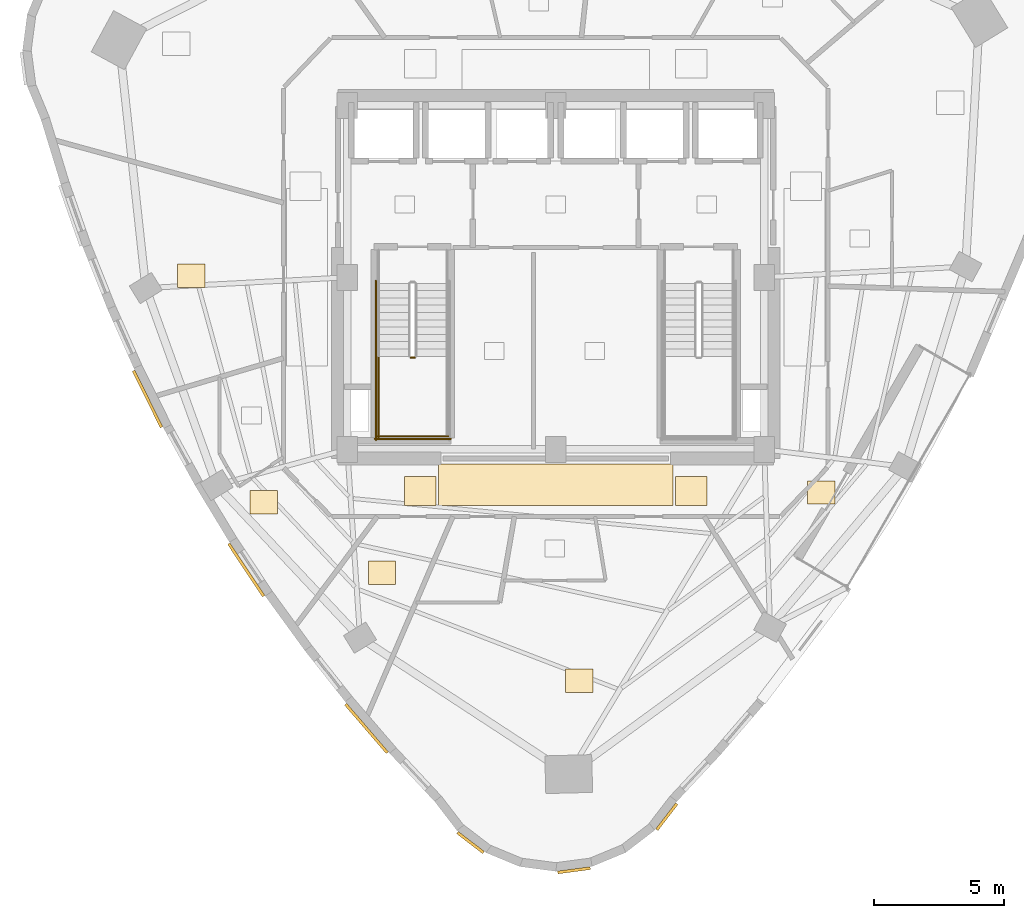
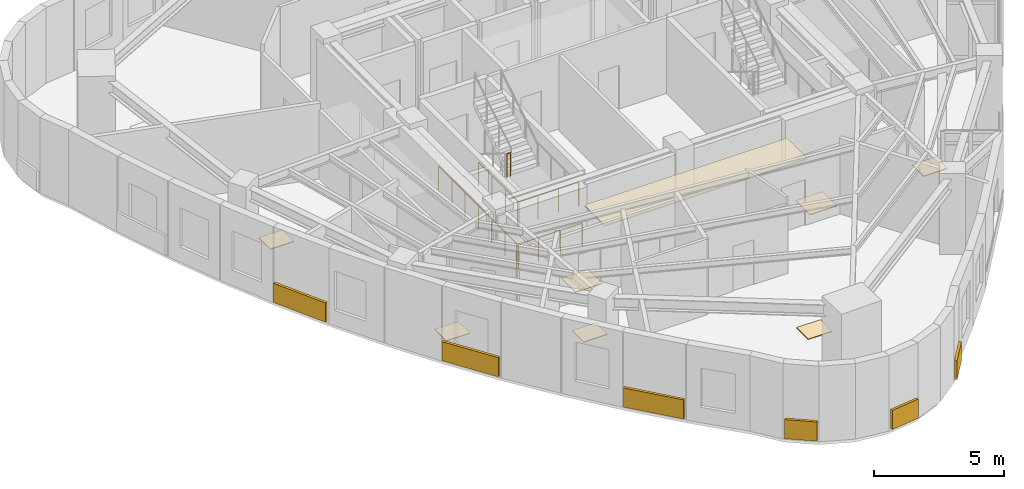
# One storey, part 10 of 12: 14 coverings, 5 railings.
"""IFC4 building model written with IfcOpenShell, lengths in metres."""

from ifc_helpers import new_model, si_unit, direction, frame, origin, origin_2d, place, context, subcontext, project, spatial, rectangle, circle, extrude, material, layer, layer_set, type_object, element, save


model = new_model("IFC4")

# Units and contexts
model_context = context("Model", 3, precision=1e-05, world=origin(), true_north=direction((0.0, 1.0)))
body_context = subcontext(model_context, "Body", "Model", "MODEL_VIEW")
ifc_project = project(units=[si_unit("LENGTHUNIT", "METRE"), si_unit("AREAUNIT", "SQUARE_METRE"), si_unit("VOLUMEUNIT", "CUBIC_METRE"), si_unit("PLANEANGLEUNIT", "RADIAN"), si_unit("MASSUNIT", "GRAM", prefix="KILO")], contexts=[model_context])

# Site, building, storey
site_placement = place(None, origin())
site = spatial("IfcSite", under=ifc_project, at=site_placement, CompositionType="ELEMENT")
building_placement = place(site_placement, origin())
building = spatial("IfcBuilding", under=site, at=building_placement, Name="Ndelora Gate Hotel", CompositionType="ELEMENT")
storey_placement = place(building_placement, frame((0.0, 0.0, 209.35009765625)))
storey = spatial("IfcBuildingStorey", under=building, at=storey_placement, Name="L52", CompositionType="ELEMENT", Elevation=209.35009765625)

# Coverings
ifc_material_1 = material(Name="Perforated Acoustic Gypsum Board", Category="gypsum")
ifc_layer_1 = layer(ifc_material_1, 0.054931640625)
ifc_layer_set_1 = layer_set([ifc_layer_1], Name="Perforated Acoustic Gypsum Board")
covering_type_1 = type_object("IfcCoveringType", Name="COV-CEIL-AC60", PredefinedType="CEILING", material=ifc_layer_set_1)
covering_1_placement = place(storey_placement, frame((0.0, -7.9599609375, 2.65234375), z_axis=(0.0, 0.0, 1.0), x_axis=(1.0, 0.0, 0.0)))
element("IfcCovering", 1, at=covering_1_placement, inside=storey, type_object=covering_type_1, Name="L52 Guest Corridor Acoustic Ceiling S", PredefinedType="CEILING", context=body_context, shape_type="SweptSolid", body=[
    extrude(rectangle(XDim=9.0, YDim=1.580078125, at=origin_2d()), origin(), (0.0, 0.0, 1.0), 0.054931640625),
])
ifc_material_2 = material(Name="Terracotta Fired Clay Brick Slip Cladding", Category="masonry")
ifc_layer_2 = layer(ifc_material_2, 0.110107421875)
ifc_layer_set_2 = layer_set([ifc_layer_2], Name="Terracotta Fired Clay Brick Slip Cladding")
covering_type_2 = type_object("IfcCoveringType", Name="COV-CLAD-BRK", PredefinedType="CLADDING", material=ifc_layer_set_2)
for number, where, z_axis, x_axis, name in (
    (2, (-15.66357421875, -4.67041015625, 0.099853515625), (0.0, 0.0, 1.0), (-0.444635179185, 0.895711760239, 0.0), "L52 Rounded-Corner Brick Cladding Band 13"),
    (3, (-11.87646484375, -11.229736328125, 0.099853515625), (0.0, 0.0, 1.0), (-0.553391549243, 0.83292124071, 0.0), "L52 Rounded-Corner Brick Cladding Band 16"),
):
    element("IfcCovering", number, at=place(storey_placement, frame(where, z_axis=z_axis, x_axis=x_axis)), inside=storey, type_object=covering_type_2, Name=name, PredefinedType="CLADDING", context=body_context, shape_type="SweptSolid", body=[
        extrude(rectangle(XDim=2.4208984375, YDim=0.110107421875, at=origin_2d()), origin(), (0.0, 0.0, 1.0), 0.89990234375),
    ])
covering_2_placement = place(storey_placement, frame((-7.26416015625, -17.31201171875, 0.099853515625), z_axis=(0.0, 0.0, 1.0), x_axis=(-0.651966074496, 0.758248137292, 0.0)))
element("IfcCovering", 4, at=covering_2_placement, inside=storey, type_object=covering_type_2, Name="L52 Rounded-Corner Brick Cladding Band 19", PredefinedType="CLADDING", context=body_context, shape_type="SweptSolid", body=[
    extrude(rectangle(XDim=2.4599609375, YDim=0.110107421875, at=origin_2d()), origin(), (0.0, 0.0, 1.0), 0.89990234375),
])
for number, where, z_axis, x_axis, name in (
    (5, (-3.271484375, -21.691650390625, 0.099853515625), (0.0, 0.0, 1.0), (-0.793353340291, 0.608761429009, 0.0), "L52 Rounded-Corner Brick Cladding Band 22"),
    (6, (0.701416015625, -22.75634765625, 0.099853515625), (0.0, 0.0, 1.0), (0.991444861374, 0.13052619222, 0.0), "L52 Rounded-Corner Brick Cladding Band 25"),
):
    element("IfcCovering", number, at=place(storey_placement, frame(where, z_axis=z_axis, x_axis=x_axis)), inside=storey, type_object=covering_type_2, Name=name, PredefinedType="CLADDING", context=body_context, shape_type="SweptSolid", body=[
        extrude(rectangle(XDim=1.258056640625, YDim=0.110107421875, at=origin_2d()), origin(), (0.0, 0.0, 1.0), 0.89990234375),
    ])
covering_3_placement = place(storey_placement, frame((4.263671875, -20.69970703125, 0.099853515625), z_axis=(0.0, 0.0, 1.0), x_axis=(0.608761429009, 0.793353340291, 0.0)))
element("IfcCovering", 7, at=covering_3_placement, inside=storey, type_object=covering_type_2, Name="L52 Rounded-Corner Brick Cladding Band 28", PredefinedType="CLADDING", context=body_context, shape_type="SweptSolid", body=[
    extrude(rectangle(XDim=1.257080078125, YDim=0.110107421875, at=origin_2d()), origin(), (0.0, 0.0, 1.0), 0.89990234375),
])
ifc_material_3 = material(Name="Engineered Highland Oak Parquet", Category="wood")
ifc_layer_3 = layer(ifc_material_3, 0.030029296875)
ifc_layer_set_3 = layer_set([ifc_layer_3], Name="Engineered Highland Oak Parquet")
covering_type_3 = type_object("IfcCoveringType", Name="COV-FLR-PARQ", PredefinedType="FLOORING", material=ifc_layer_set_3)
for number, where, z_axis, x_axis, name in (
    (8, (0.896728515625, -15.488525390625, 0.0), (0.0, 0.0, 1.0), (1.0, 0.0, 0.0), "L52 Corner Conservatory Suite 5501 Oak Parquet Flooring"),
    (9, (10.19580078125, -8.2578125, 0.0), (0.0, 0.0, 1.0), (1.0, 0.0, 0.0), "L52 Sky Garden Tea Dining Room Oak Parquet Flooring"),
    (10, (-13.989501953125, 0.0625, 0.0), (0.0, 0.0, 1.0), (1.0, 0.0, 0.0), "L52 Sommelier Wine Kitchen Oak Parquet Flooring"),
    (11, (-11.20166015625, -8.63818359375, 0.0), (0.0, 0.0, 1.0), (1.0, 0.0, 0.0), "L52 Altitude King Guest Room 5505 Oak Parquet Flooring"),
    (12, (-6.667724609375, -11.34228515625, 0.0), (0.0, 0.0, 1.0), (1.0, 0.0, 0.0), "L52 Housekeeping and Linen Room Oak Parquet Flooring"),
):
    element("IfcCovering", number, at=place(storey_placement, frame(where, z_axis=z_axis, x_axis=x_axis)), inside=storey, type_object=covering_type_3, Name=name, PredefinedType="FLOORING", context=body_context, shape_type="SweptSolid", body=[
        extrude(rectangle(XDim=1.050048828125, YDim=0.89990234375, at=origin_2d()), origin(), (0.0, 0.0, 1.0), 0.030029296875),
    ])
ifc_material_4 = material(Name="Polished Highland Stone Terrazzo", Category="masonry")
ifc_layer_4 = layer(ifc_material_4, 0.034912109375)
ifc_layer_set_4 = layer_set([ifc_layer_4], Name="Polished Highland Stone Terrazzo")
covering_type_4 = type_object("IfcCoveringType", Name="COV-FLR-TERZ", PredefinedType="FLOORING", material=ifc_layer_set_4)
for number, where, z_axis, x_axis, name in (
    (13, (-5.199951171875, -8.199951171875, 0.0), (0.0, 0.0, 1.0), (1.0, 0.0, 0.0), "L52 Corridor Threshold Terrazzo Inlay SW"),
    (14, (5.199951171875, -8.199951171875, 0.0), (0.0, 0.0, 1.0), (1.0, 0.0, 0.0), "L52 Corridor Threshold Terrazzo Inlay SE"),
):
    element("IfcCovering", number, at=place(storey_placement, frame(where, z_axis=z_axis, x_axis=x_axis)), inside=storey, type_object=covering_type_4, Name=name, PredefinedType="FLOORING", context=body_context, shape_type="SweptSolid", body=[
        extrude(rectangle(XDim=1.199951171875, YDim=1.10009765625, at=origin_2d()), origin(), (0.0, 0.0, 1.0), 0.034912109375),
    ])

# Railings
ifc_material_5 = material(Name="Painted Galvanized Steel Balustrade", Category="steel")
ifc_layer_5 = layer(ifc_material_5, 0.06005859375)
ifc_layer_set_5 = layer_set([ifc_layer_5], Name="Painted Galvanized Steel Balustrade")
railing_type = type_object("IfcRailingType", Name="RL-STAIR-GD", PredefinedType="GUARDRAIL", material=ifc_layer_set_5)
railing_1_placement = place(storey_placement, frame((-5.570068359375, -3.080078125, 1.89990234375)))
element("IfcRailing", 15, at=railing_1_placement, inside=storey, type_object=railing_type, Name="L52 ST4 stair guard 2", PredefinedType="GUARDRAIL", context=body_context, shape_type="SweptSolid", body=[
    extrude(circle(Radius=0.02392578125, at=origin_2d()), frame((0.0, 0.0, 1.10595703125), z_axis=(1.0, 0.0, 0.0), x_axis=(0.0, 1.0, 0.0)), (0.0, 0.0, 1.0), 0.16015625),
    extrude(circle(Radius=0.02099609375, at=origin_2d()), origin(), (0.0, 0.0, 1.0), 1.081787109375),
    extrude(circle(Radius=0.02099609375, at=origin_2d()), frame((0.16015625, 0.0, 0.0)), (0.0, 0.0, 1.0), 1.081787109375),
])
railing_2_placement = place(storey_placement, frame((-6.800048828125, -3.030029296875, 1.89990234375)))
element("IfcRailing", 16, at=railing_2_placement, inside=storey, type_object=railing_type, Name="L52 ST4 stair guard 3", PredefinedType="GUARDRAIL", context=body_context, shape_type="SweptSolid", body=[
    extrude(circle(Radius=0.02392578125, at=origin_2d()), frame((0.0, 0.0, 1.10595703125), z_axis=(0.0, -1.0, 0.0), x_axis=(1.0, 0.0, 0.0)), (0.0, 0.0, 1.0), 3.119873046875),
    extrude(circle(Radius=0.02099609375, at=origin_2d()), origin(), (0.0, 0.0, 1.0), 1.081787109375),
    extrude(circle(Radius=0.02099609375, at=origin_2d()), frame((0.0, -1.0400390625, 0.0)), (0.0, 0.0, 1.0), 1.081787109375),
    extrude(circle(Radius=0.02099609375, at=origin_2d()), frame((0.0, -2.079833984375, 0.0)), (0.0, 0.0, 1.0), 1.081787109375),
    extrude(circle(Radius=0.02099609375, at=origin_2d()), frame((0.0, -3.119873046875, 0.0)), (0.0, 0.0, 1.0), 1.081787109375),
])
railing_3_placement = place(storey_placement, frame((-6.85009765625, -6.10009765625, 1.89990234375)))
element("IfcRailing", 17, at=railing_3_placement, inside=storey, type_object=railing_type, Name="L52 ST4 stair guard 5", PredefinedType="GUARDRAIL", context=body_context, shape_type="SweptSolid", body=[
    extrude(circle(Radius=0.02392578125, at=origin_2d()), frame((0.0, 0.0, 1.10595703125), z_axis=(1.0, 0.0, 0.0), x_axis=(0.0, 1.0, 0.0)), (0.0, 0.0, 1.0), 2.72021484375),
    extrude(circle(Radius=0.02099609375, at=origin_2d()), origin(), (0.0, 0.0, 1.0), 1.081787109375),
    extrude(circle(Radius=0.02099609375, at=origin_2d()), frame((0.90673828125, 0.0, 0.0)), (0.0, 0.0, 1.0), 1.081787109375),
    extrude(circle(Radius=0.02099609375, at=origin_2d()), frame((1.8134765625, 0.0, 0.0)), (0.0, 0.0, 1.0), 1.081787109375),
    extrude(circle(Radius=0.02099609375, at=origin_2d()), frame((2.72021484375, 0.0, 0.0)), (0.0, 0.0, 1.0), 1.081787109375),
])
railing_4_placement = place(storey_placement, frame((-6.89990234375, -0.1298828125, 0.0)))
element("IfcRailing", 18, at=railing_4_placement, inside=storey, type_object=railing_type, Name="L52 ST4 stair guard 10", PredefinedType="GUARDRAIL", context=body_context, shape_type="SweptSolid", body=[
    extrude(circle(Radius=0.02392578125, at=origin_2d()), frame((0.0, 0.0, 1.10595703125), z_axis=(0.0, -1.0, 0.0), x_axis=(1.0, 0.0, 0.0)), (0.0, 0.0, 1.0), 6.1201171875),
    extrude(circle(Radius=0.02099609375, at=origin_2d()), origin(), (0.0, 0.0, 1.0), 1.081787109375),
    extrude(circle(Radius=0.02099609375, at=origin_2d()), frame((0.0, -1.02001953125, 0.0)), (0.0, 0.0, 1.0), 1.081787109375),
    extrude(circle(Radius=0.02099609375, at=origin_2d()), frame((0.0, -2.0400390625, 0.0)), (0.0, 0.0, 1.0), 1.081787109375),
    extrude(circle(Radius=0.02099609375, at=origin_2d()), frame((0.0, -3.06005859375, 0.0)), (0.0, 0.0, 1.0), 1.081787109375),
    extrude(circle(Radius=0.02099609375, at=origin_2d()), frame((0.0, -4.080078125, 0.0)), (0.0, 0.0, 1.0), 1.081787109375),
    extrude(circle(Radius=0.02099609375, at=origin_2d()), frame((0.0, -5.10009765625, 0.0)), (0.0, 0.0, 1.0), 1.081787109375),
    extrude(circle(Radius=0.02099609375, at=origin_2d()), frame((0.0, -6.1201171875, 0.0)), (0.0, 0.0, 1.0), 1.081787109375),
])
railing_5_placement = place(storey_placement, frame((-6.949951171875, -6.199951171875, 0.0)))
element("IfcRailing", 19, at=railing_5_placement, inside=storey, type_object=railing_type, Name="L52 ST4 stair guard 12", PredefinedType="GUARDRAIL", context=body_context, shape_type="SweptSolid", body=[
    extrude(circle(Radius=0.02392578125, at=origin_2d()), frame((0.0, 0.0, 1.10595703125), z_axis=(1.0, 0.0, 0.0), x_axis=(0.0, 1.0, 0.0)), (0.0, 0.0, 1.0), 2.919921875),
    extrude(circle(Radius=0.02099609375, at=origin_2d()), origin(), (0.0, 0.0, 1.0), 1.081787109375),
    extrude(circle(Radius=0.02099609375, at=origin_2d()), frame((0.973388671875, 0.0, 0.0)), (0.0, 0.0, 1.0), 1.081787109375),
    extrude(circle(Radius=0.02099609375, at=origin_2d()), frame((1.946533203125, 0.0, 0.0)), (0.0, 0.0, 1.0), 1.081787109375),
    extrude(circle(Radius=0.02099609375, at=origin_2d()), frame((2.919921875, 0.0, 0.0)), (0.0, 0.0, 1.0), 1.081787109375),
])

save(model, "model.ifc")
